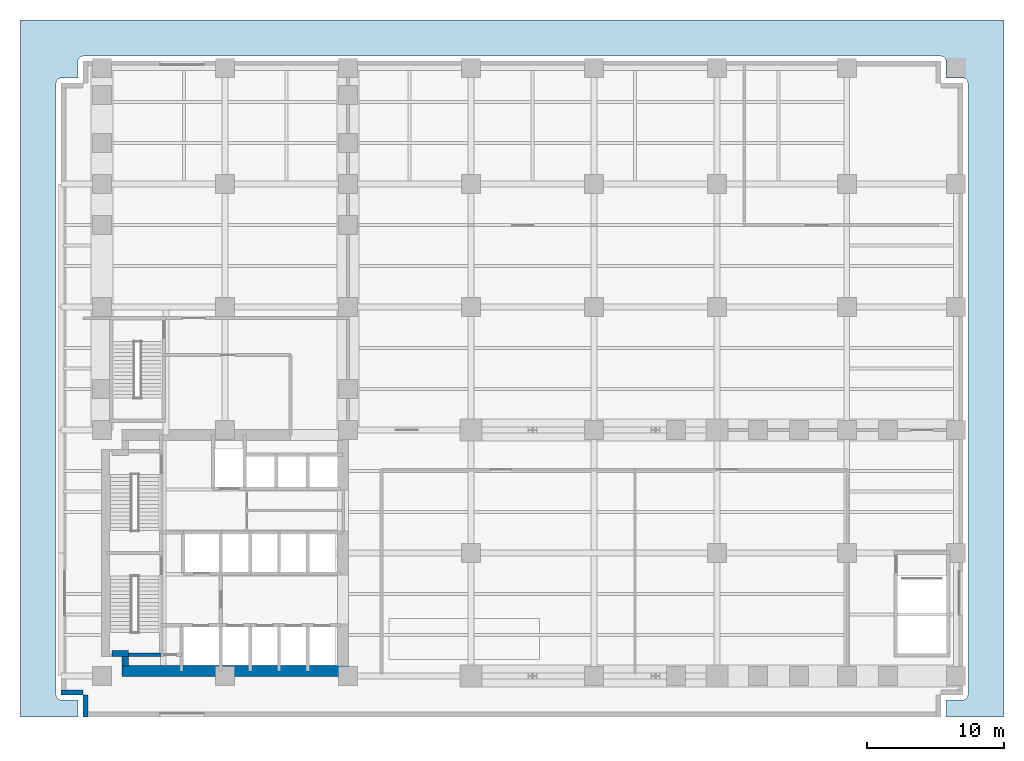
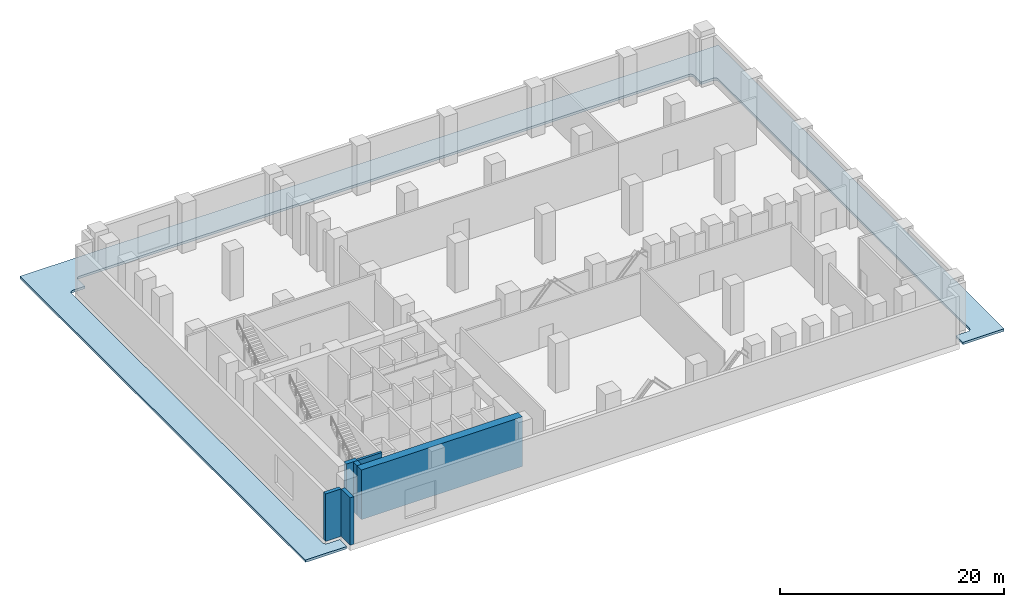
# One storey, part 4 of 8: 6 walls, 1 slab.
"""IFC4 building model written with IfcOpenShell, lengths in metres."""

from ifc_helpers import new_model, si_unit, direction, frame, frame_2d, origin, place, context, subcontext, project, spatial, polyline, rectangle, outline, extrude, material, layer, layer_set, type_object, element, save


model = new_model("IFC4")

# Units and contexts
model_context = context("Model", 3, precision=1e-05, world=origin(), true_north=direction((0.0, 1.0)))
body_context = subcontext(model_context, "Body", "Model", "MODEL_VIEW")
ifc_project = project(units=[si_unit("LENGTHUNIT", "METRE"), si_unit("AREAUNIT", "SQUARE_METRE"), si_unit("VOLUMEUNIT", "CUBIC_METRE"), si_unit("PLANEANGLEUNIT", "RADIAN"), si_unit("MASSUNIT", "GRAM", prefix="KILO")], contexts=[model_context])

# Site, building, storey
site_placement = place(None, origin())
site = spatial("IfcSite", under=ifc_project, at=site_placement, CompositionType="ELEMENT")
building_placement = place(site_placement, origin())
building = spatial("IfcBuilding", under=site, at=building_placement, Name="Mawjdan Bourse Tower", CompositionType="ELEMENT")
storey_placement = place(building_placement, frame((0.0, 0.0, 16.199951171875)))
storey = spatial("IfcBuildingStorey", under=building, at=storey_placement, Name="L03", CompositionType="ELEMENT", Elevation=16.199951171875)

# Slab
ifc_material_1 = material(Name="Concrete C50/60", Category="concrete")
ifc_layer_1 = layer(ifc_material_1, 0.260009765625)
ifc_layer_set_1 = layer_set([ifc_layer_1], Name="Concrete C50/60")
slab_type = type_object("IfcSlabType", Name="SL-ROOF-260", PredefinedType="ROOF", material=ifc_layer_set_1)
slab_placement = place(storey_placement, frame((0.0, 0.0, -0.260009765625)))
element("IfcSlab", 1, at=slab_placement, inside=storey, type_object=slab_type, Name="L03 Setback Weather Roof 1", PredefinedType="ROOF", context=body_context, shape_type="SweptSolid", body=[
    extrude(outline(polyline([(4.22998046875, 0.0), (4.23193359375, 0.0), (4.23388671875, 0.00048828125), (4.23583984375, 0.0009765625), (4.23779296875, 0.00146484375), (4.239501953125, 0.00244140625), (4.2412109375, 0.00341796875), (4.24267578125, 0.00439453125), (4.244140625, 0.005859375), (4.24560546875, 0.00732421875), (4.24658203125, 0.0087890625), (4.24755859375, 0.010498046875), (4.24853515625, 0.01220703125), (4.2490234375, 0.01416015625), (4.24951171875, 0.01611328125), (4.25, 0.01806640625), (4.25, 0.02001953125), (4.25, 1.22998046875), (4.25, 1.23193359375), (4.24951171875, 1.23388671875), (4.2490234375, 1.23583984375), (4.24853515625, 1.23779296875), (4.24755859375, 1.239501953125), (4.24658203125, 1.2412109375), (4.24560546875, 1.24267578125), (4.244140625, 1.244140625), (4.24267578125, 1.24560546875), (4.2412109375, 1.24658203125), (4.239501953125, 1.24755859375), (4.23779296875, 1.24853515625), (4.23583984375, 1.2490234375), (4.23388671875, 1.24951171875), (4.23193359375, 1.25), (4.22998046875, 1.25), (3.000244140625, 1.25), (2.999755859375, 1.25), (2.96630859375, 1.251708984375), (2.965087890625, 1.251708984375), (2.93212890625, 1.256591796875), (2.93115234375, 1.2568359375), (2.89892578125, 1.264892578125), (2.89794921875, 1.26513671875), (2.866455078125, 1.276611328125), (2.865478515625, 1.27685546875), (2.83544921875, 1.291015625), (2.834716796875, 1.29150390625), (2.805908203125, 1.30859375), (2.80517578125, 1.309326171875), (2.7783203125, 1.3291015625), (2.777587890625, 1.329833984375), (2.7529296875, 1.352294921875), (2.752197265625, 1.352783203125), (2.729736328125, 1.377685546875), (2.729248046875, 1.37841796875), (2.709228515625, 1.4052734375), (2.708740234375, 1.406005859375), (2.691650390625, 1.4345703125), (2.691162109375, 1.435546875), (2.677001953125, 1.465576171875), (2.676513671875, 1.466552734375), (2.665283203125, 1.497802734375), (2.6650390625, 1.498779296875), (2.65673828125, 1.53125), (2.65673828125, 1.5322265625), (2.65185546875, 1.565185546875), (2.651611328125, 1.566162109375), (2.64990234375, 1.599853515625), (2.64990234375, 1.60009765625), (2.64990234375, 46.39990234375), (2.64990234375, 46.400146484375), (2.651611328125, 46.433837890625), (2.65185546875, 46.434814453125), (2.65673828125, 46.4677734375), (2.65673828125, 46.46875), (2.6650390625, 46.501220703125), (2.665283203125, 46.502197265625), (2.676513671875, 46.533447265625), (2.677001953125, 46.534423828125), (2.691162109375, 46.564453125), (2.691650390625, 46.5654296875), (2.708740234375, 46.593994140625), (2.709228515625, 46.5947265625), (2.729248046875, 46.62158203125), (2.729736328125, 46.622314453125), (2.752197265625, 46.647216796875), (2.7529296875, 46.647705078125), (2.777587890625, 46.670166015625), (2.7783203125, 46.6708984375), (2.80517578125, 46.690673828125), (2.805908203125, 46.69140625), (2.834716796875, 46.70849609375), (2.83544921875, 46.708984375), (2.865478515625, 46.72314453125), (2.866455078125, 46.723388671875), (2.89794921875, 46.73486328125), (2.89892578125, 46.735107421875), (2.93115234375, 46.7431640625), (2.93212890625, 46.743408203125), (2.965087890625, 46.748291015625), (2.96630859375, 46.748291015625), (2.999755859375, 46.75), (3.000244140625, 46.75), (4.22998046875, 46.75), (4.23193359375, 46.75), (4.23388671875, 46.75048828125), (4.23583984375, 46.7509765625), (4.23779296875, 46.75146484375), (4.239501953125, 46.75244140625), (4.2412109375, 46.75341796875), (4.24267578125, 46.75439453125), (4.244140625, 46.755859375), (4.24560546875, 46.75732421875), (4.24658203125, 46.7587890625), (4.24755859375, 46.760498046875), (4.24853515625, 46.76220703125), (4.2490234375, 46.76416015625), (4.24951171875, 46.76611328125), (4.25, 46.76806640625), (4.25, 46.77001953125), (4.25, 47.999755859375), (4.25, 48.000244140625), (4.251708984375, 48.03369140625), (4.251708984375, 48.034912109375), (4.256591796875, 48.06787109375), (4.2568359375, 48.06884765625), (4.264892578125, 48.10107421875), (4.26513671875, 48.10205078125), (4.276611328125, 48.133544921875), (4.27685546875, 48.134521484375), (4.291015625, 48.16455078125), (4.29150390625, 48.165283203125), (4.30859375, 48.194091796875), (4.309326171875, 48.19482421875), (4.3291015625, 48.2216796875), (4.329833984375, 48.222412109375), (4.352294921875, 48.2470703125), (4.352783203125, 48.247802734375), (4.377685546875, 48.270263671875), (4.37841796875, 48.270751953125), (4.4052734375, 48.290771484375), (4.406005859375, 48.291259765625), (4.4345703125, 48.308349609375), (4.435546875, 48.308837890625), (4.465576171875, 48.322998046875), (4.466552734375, 48.323486328125), (4.497802734375, 48.334716796875), (4.498779296875, 48.3349609375), (4.53125, 48.34326171875), (4.5322265625, 48.34326171875), (4.565185546875, 48.34814453125), (4.566162109375, 48.348388671875), (4.599853515625, 48.35009765625), (4.60009765625, 48.35009765625), (67.39990234375, 48.35009765625), (67.400146484375, 48.35009765625), (67.433837890625, 48.348388671875), (67.434814453125, 48.34814453125), (67.4677734375, 48.34326171875), (67.46875, 48.34326171875), (67.501220703125, 48.3349609375), (67.502197265625, 48.334716796875), (67.533447265625, 48.323486328125), (67.534423828125, 48.322998046875), (67.564453125, 48.308837890625), (67.5654296875, 48.308349609375), (67.593994140625, 48.291259765625), (67.5947265625, 48.290771484375), (67.62158203125, 48.270751953125), (67.622314453125, 48.270263671875), (67.647216796875, 48.247802734375), (67.647705078125, 48.2470703125), (67.670166015625, 48.222412109375), (67.6708984375, 48.2216796875), (67.690673828125, 48.19482421875), (67.69140625, 48.194091796875), (67.70849609375, 48.165283203125), (67.708984375, 48.16455078125), (67.72314453125, 48.134521484375), (67.723388671875, 48.133544921875), (67.73486328125, 48.10205078125), (67.735107421875, 48.10107421875), (67.7431640625, 48.06884765625), (67.743408203125, 48.06787109375), (67.748291015625, 48.034912109375), (67.748291015625, 48.03369140625), (67.75, 48.000244140625), (67.75, 47.999755859375), (67.75, 46.77001953125), (67.75, 46.76806640625), (67.75048828125, 46.76611328125), (67.7509765625, 46.76416015625), (67.75146484375, 46.76220703125), (67.75244140625, 46.760498046875), (67.75341796875, 46.7587890625), (67.75439453125, 46.75732421875), (67.755859375, 46.755859375), (67.75732421875, 46.75439453125), (67.7587890625, 46.75341796875), (67.760498046875, 46.75244140625), (67.76220703125, 46.75146484375), (67.76416015625, 46.7509765625), (67.76611328125, 46.75048828125), (67.76806640625, 46.75), (67.77001953125, 46.75), (68.999755859375, 46.75), (69.000244140625, 46.75), (69.03369140625, 46.748291015625), (69.034912109375, 46.748291015625), (69.06787109375, 46.743408203125), (69.06884765625, 46.7431640625), (69.10107421875, 46.735107421875), (69.10205078125, 46.73486328125), (69.133544921875, 46.723388671875), (69.134521484375, 46.72314453125), (69.16455078125, 46.708984375), (69.165283203125, 46.70849609375), (69.194091796875, 46.69140625), (69.19482421875, 46.690673828125), (69.2216796875, 46.6708984375), (69.222412109375, 46.670166015625), (69.2470703125, 46.647705078125), (69.247802734375, 46.647216796875), (69.270263671875, 46.622314453125), (69.270751953125, 46.62158203125), (69.290771484375, 46.5947265625), (69.291259765625, 46.593994140625), (69.308349609375, 46.5654296875), (69.308837890625, 46.564453125), (69.322998046875, 46.534423828125), (69.323486328125, 46.533447265625), (69.334716796875, 46.502197265625), (69.3349609375, 46.501220703125), (69.34326171875, 46.46875), (69.34326171875, 46.4677734375), (69.34814453125, 46.434814453125), (69.348388671875, 46.433837890625), (69.35009765625, 46.400146484375), (69.35009765625, 46.39990234375), (69.35009765625, 1.60009765625), (69.35009765625, 1.599853515625), (69.348388671875, 1.566162109375), (69.34814453125, 1.565185546875), (69.34326171875, 1.5322265625), (69.34326171875, 1.53125), (69.3349609375, 1.498779296875), (69.334716796875, 1.497802734375), (69.323486328125, 1.466552734375), (69.322998046875, 1.465576171875), (69.308837890625, 1.435546875), (69.308349609375, 1.4345703125), (69.291259765625, 1.406005859375), (69.290771484375, 1.4052734375), (69.270751953125, 1.37841796875), (69.270263671875, 1.377685546875), (69.247802734375, 1.352783203125), (69.2470703125, 1.352294921875), (69.222412109375, 1.329833984375), (69.2216796875, 1.3291015625), (69.19482421875, 1.309326171875), (69.194091796875, 1.30859375), (69.165283203125, 1.29150390625), (69.16455078125, 1.291015625), (69.134521484375, 1.27685546875), (69.133544921875, 1.276611328125), (69.10205078125, 1.26513671875), (69.10107421875, 1.264892578125), (69.06884765625, 1.2568359375), (69.06787109375, 1.256591796875), (69.034912109375, 1.251708984375), (69.03369140625, 1.251708984375), (69.000244140625, 1.25), (68.999755859375, 1.25), (67.77001953125, 1.25), (67.76806640625, 1.25), (67.76611328125, 1.24951171875), (67.76416015625, 1.2490234375), (67.76220703125, 1.24853515625), (67.760498046875, 1.24755859375), (67.7587890625, 1.24658203125), (67.75732421875, 1.24560546875), (67.755859375, 1.244140625), (67.75439453125, 1.24267578125), (67.75341796875, 1.2412109375), (67.75244140625, 1.239501953125), (67.75146484375, 1.23779296875), (67.7509765625, 1.23583984375), (67.75048828125, 1.23388671875), (67.75, 1.23193359375), (67.75, 1.22998046875), (67.75, 0.02001953125), (67.75, 0.01806640625), (67.75048828125, 0.01611328125), (67.7509765625, 0.01416015625), (67.75146484375, 0.01220703125), (67.75244140625, 0.010498046875), (67.75341796875, 0.0087890625), (67.75439453125, 0.00732421875), (67.755859375, 0.005859375), (67.75732421875, 0.00439453125), (67.7587890625, 0.00341796875), (67.760498046875, 0.00244140625), (67.76220703125, 0.00146484375), (67.76416015625, 0.0009765625), (67.76611328125, 0.00048828125), (67.76806640625, 0.0), (67.77001953125, 0.0), (71.97998046875, 0.0), (71.98193359375, 0.0), (71.98388671875, 0.00048828125), (71.98583984375, 0.0009765625), (71.98779296875, 0.00146484375), (71.989501953125, 0.00244140625), (71.9912109375, 0.00341796875), (71.99267578125, 0.00439453125), (71.994140625, 0.005859375), (71.99560546875, 0.00732421875), (71.99658203125, 0.0087890625), (71.99755859375, 0.010498046875), (71.99853515625, 0.01220703125), (71.9990234375, 0.01416015625), (71.99951171875, 0.01611328125), (72.0, 0.01806640625), (72.0, 0.02001953125), (72.0, 50.97998046875), (72.0, 50.98193359375), (71.99951171875, 50.98388671875), (71.9990234375, 50.98583984375), (71.99853515625, 50.98779296875), (71.99755859375, 50.989501953125), (71.99658203125, 50.9912109375), (71.99560546875, 50.99267578125), (71.994140625, 50.994140625), (71.99267578125, 50.99560546875), (71.9912109375, 50.99658203125), (71.989501953125, 50.99755859375), (71.98779296875, 50.99853515625), (71.98583984375, 50.9990234375), (71.98388671875, 50.99951171875), (71.98193359375, 51.0), (71.97998046875, 51.0), (0.02001953125, 51.0), (0.01806640625, 51.0), (0.01611328125, 50.99951171875), (0.01416015625, 50.9990234375), (0.01220703125, 50.99853515625), (0.010498046875, 50.99755859375), (0.0087890625, 50.99658203125), (0.00732421875, 50.99560546875), (0.005859375, 50.994140625), (0.00439453125, 50.99267578125), (0.00341796875, 50.9912109375), (0.00244140625, 50.989501953125), (0.00146484375, 50.98779296875), (0.0009765625, 50.98583984375), (0.00048828125, 50.98388671875), (0.0, 50.98193359375), (0.0, 50.97998046875), (0.0, 0.02001953125), (0.0, 0.01806640625), (0.00048828125, 0.01611328125), (0.0009765625, 0.01416015625), (0.00146484375, 0.01220703125), (0.00244140625, 0.010498046875), (0.00341796875, 0.0087890625), (0.00439453125, 0.00732421875), (0.005859375, 0.005859375), (0.00732421875, 0.00439453125), (0.0087890625, 0.00341796875), (0.010498046875, 0.00244140625), (0.01220703125, 0.00146484375), (0.01416015625, 0.0009765625), (0.01611328125, 0.00048828125), (0.01806640625, 0.0), (0.02001953125, 0.0), (4.22998046875, 0.0)])), origin(), (0.0, 0.0, 1.0), 0.260009765625),
])

# Walls
ifc_material_2 = material(Name="Brick Masonry Terracotta Red", Category="masonry")
ifc_layer_2 = layer(ifc_material_2, 0.3798828125)
ifc_layer_set_2 = layer_set([ifc_layer_2], Name="Brick Masonry Terracotta Red")
wall_type_1 = type_object("IfcWallType", Name="WL-BRK-RED-380", PredefinedType="STANDARD", material=ifc_layer_set_2)
for number, where, z_axis, x_axis, name in (
    (2, (3.0, 1.7900390625, 0.0), (0.0, 0.0, 1.0), (1.0, 0.0, 0.0), "L03 Colocation Brick Wall 11"),
    (3, (4.7900390625, 1.60009765625, 0.0), (0.0, 0.0, 1.0), (0.0, -1.0, 0.0), "L03 Colocation Brick Wall 12"),
):
    element("IfcWall", number, at=place(storey_placement, frame(where, z_axis=z_axis, x_axis=x_axis)), inside=storey, type_object=wall_type_1, Name=name, PredefinedType="STANDARD", context=body_context, shape_type="SweptSolid", body=[
        extrude(rectangle(XDim=1.60009765625, YDim=0.3798828125, at=frame_2d((0.800048828125, 0.0))), origin(), (0.0, 0.0, 1.0), 5.179931640625),
    ])
ifc_material_3 = material(Name="Concrete C60/75", Category="concrete")
ifc_layer_3 = layer(ifc_material_3, 0.449951171875)
ifc_layer_set_3 = layer_set([ifc_layer_3], Name="Concrete C60/75")
wall_type_2 = type_object("IfcWallType", Name="WL-CORE-450", PredefinedType="SHEAR", material=ifc_layer_set_3)
wall_1_placement = place(storey_placement, frame((6.75, 4.64990234375, 0.0), z_axis=(0.0, 0.0, 1.0), x_axis=(1.0, 0.0, 0.0)))
element("IfcWall", 4, at=wall_1_placement, inside=storey, type_object=wall_type_2, Name="L03 Rear Core Shear Wall SW-X", PredefinedType="SHEAR", context=body_context, shape_type="SweptSolid", body=[
    extrude(rectangle(XDim=1.175048828125, YDim=0.449951171875, at=frame_2d((0.58740234375, 0.0))), origin(), (0.0, 0.0, 1.0), 5.400146484375),
])
wall_2_placement = place(storey_placement, frame((7.699951171875, 3.75, 0.0), z_axis=(0.0, 0.0, 1.0), x_axis=(0.0, 1.0, 0.0)))
element("IfcWall", 5, at=wall_2_placement, inside=storey, type_object=wall_type_2, Name="L03 Rear Core Shear Wall SW-Y", PredefinedType="SHEAR", context=body_context, shape_type="SweptSolid", body=[
    extrude(rectangle(XDim=0.675048828125, YDim=0.449951171875, at=frame_2d((0.33740234375, 0.0))), origin(), (0.0, 0.0, 1.0), 5.400146484375),
])
ifc_material_4 = material(Name="Concrete C80/95", Category="concrete")
ifc_layer_4 = layer(ifc_material_4, 0.800048828125)
ifc_layer_set_4 = layer_set([ifc_layer_4], Name="Concrete C80/95")
wall_type_3 = type_object("IfcWallType", Name="WL-CORE-800", PredefinedType="SHEAR", material=ifc_layer_set_4)
wall_3_placement = place(storey_placement, frame((7.47509765625, 3.35009765625, 0.0), z_axis=(0.0, 0.0, 1.0), x_axis=(1.0, 0.0, 0.0)))
element("IfcWall", 6, at=wall_3_placement, inside=storey, type_object=wall_type_3, Name="L03 Rear Core Shear Wall S", PredefinedType="SHEAR", context=body_context, shape_type="SweptSolid", body=[
    extrude(rectangle(XDim=16.574951171875, YDim=0.800048828125, at=frame_2d((8.28759765625, 0.0))), origin(), (0.0, 0.0, 1.0), 5.400146484375),
])
ifc_layer_5 = layer(ifc_material_1, 0.25)
ifc_layer_set_5 = layer_set([ifc_layer_5], Name="Concrete C50/60")
wall_type_4 = type_object("IfcWallType", Name="WL-STRW-250", PredefinedType="SHEAR", material=ifc_layer_set_5)
wall_4_placement = place(storey_placement, frame((7.699951171875, 4.550048828125, 0.0), z_axis=(0.0, 0.0, 1.0), x_axis=(1.0, 0.0, 0.0)))
element("IfcWall", 7, at=wall_4_placement, inside=storey, type_object=wall_type_4, Name="L03 Stairwell ST1 South Shaft Wall", PredefinedType="SHEAR", context=body_context, shape_type="SweptSolid", body=[
    extrude(rectangle(XDim=2.755126953125, YDim=0.25, at=frame_2d((1.37744140625, 0.0))), origin(), (0.0, 0.0, 1.0), 5.400146484375),
])

save(model, "model.ifc")
